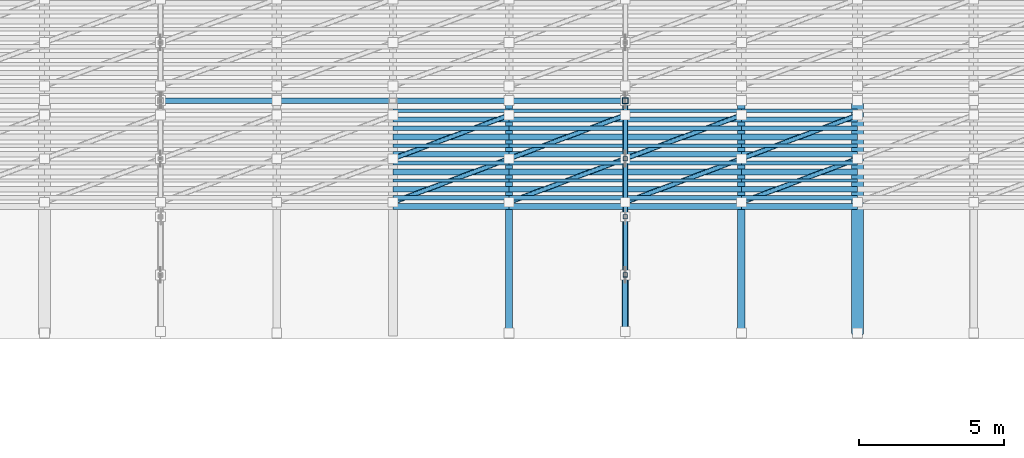
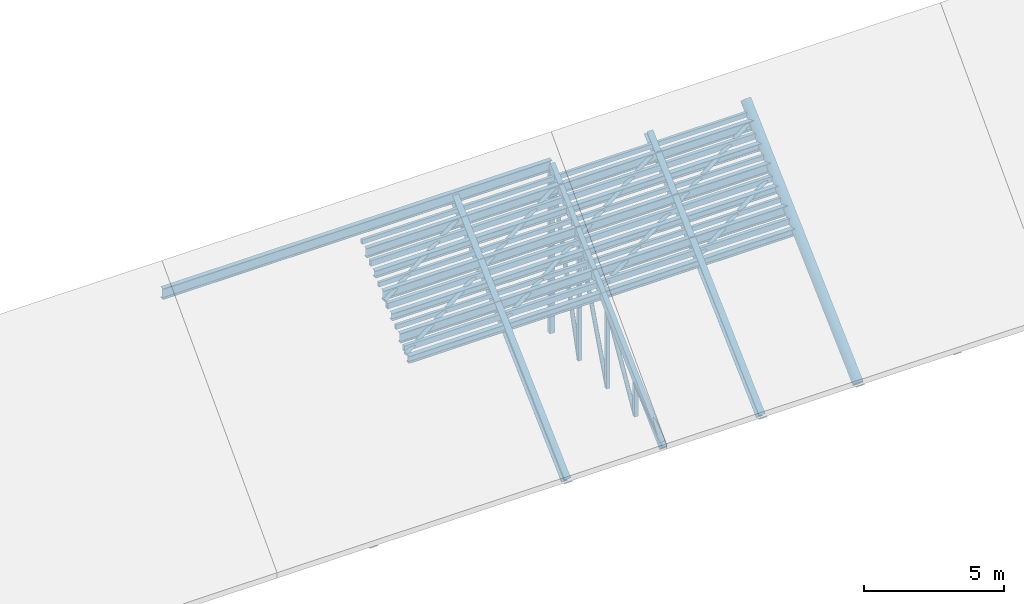
# One storey, part 6 of 18: 69 members.
"""IFC4 building model written with IfcOpenShell, lengths in metres."""

from ifc_helpers import new_model, si_unit, direction, frame, origin, origin_2d, place, context, subcontext, project, spatial, hollow_rectangle, hollow_circle, i_section, extrude, material, material_profile, profile_set, type_object, element, save


model = new_model("IFC4")

# Units and contexts
model_context = context("Model", 3, precision=1e-05, world=origin(), true_north=direction((0.0, 1.0)))
body_context = subcontext(model_context, "Body", "Model", "MODEL_VIEW")
ifc_project = project(units=[si_unit("LENGTHUNIT", "METRE"), si_unit("AREAUNIT", "SQUARE_METRE"), si_unit("VOLUMEUNIT", "CUBIC_METRE"), si_unit("PLANEANGLEUNIT", "RADIAN"), si_unit("MASSUNIT", "GRAM", prefix="KILO")], contexts=[model_context])

# Site, building, storey
site_placement = place(None, origin())
site = spatial("IfcSite", under=ifc_project, at=site_placement, CompositionType="ELEMENT")
building_placement = place(site_placement, origin())
building = spatial("IfcBuilding", under=site, at=building_placement, Name="Serraluz Foothill Cableway Terminal", CompositionType="ELEMENT")
storey_placement = place(building_placement, frame((0.0, 0.0, 24.300048828125)))
storey = spatial("IfcBuildingStorey", under=building, at=storey_placement, Name="RF", CompositionType="ELEMENT", Elevation=24.300048828125)

# Members
ifc_material_1 = material(Name="Steel ASTM A572 Grade 50", Category="steel")
ifc_material_profile_1 = material_profile(ifc_material_1, hollow_circle(Radius=0.084228515625, WallThickness=0.010009765625, at=origin_2d()), Name="CHS168X10")
ifc_profile_set_1 = profile_set([ifc_material_profile_1], Name="Steel ASTM A572 Grade 50")
member_type_1 = type_object("IfcMemberType", Name="TYP-BR-CHS168", PredefinedType="BRACE", material=ifc_profile_set_1)
member_1_placement = place(storey_placement, frame((104.0, 58.0302734375, -4.568115234375), z_axis=(0.0, 0.502584169831, 0.864528283074), x_axis=(-1.0, 0.0, 0.0)))
element("IfcMember", 1, at=member_1_placement, inside=storey, type_object=member_type_1, Name="ROOF TRUSS TR-05 Diagonal 2", PredefinedType="BRACE", context=body_context, shape_type="SweptSolid", body=[
    extrude(hollow_circle(Radius=0.084228515625, WallThickness=0.010009765625, at=origin_2d()), origin(), (0.0, 0.0, 1.0), 3.85888671875),
])
member_2_placement = place(storey_placement, frame((104.0, 60.02099609375, -4.56396484375), z_axis=(0.0, 0.352230195063, 0.935913398604), x_axis=(-1.0, 0.0, 0.0)))
element("IfcMember", 2, at=member_2_placement, inside=storey, type_object=member_type_1, Name="ROOF TRUSS TR-05 Diagonal 3", PredefinedType="BRACE", context=body_context, shape_type="SweptSolid", body=[
    extrude(hollow_circle(Radius=0.084228515625, WallThickness=0.010009765625, at=origin_2d()), origin(), (0.0, 0.0, 1.0), 5.558837890625),
])
member_3_placement = place(storey_placement, frame((104.0, 62.01611328125, -4.562255859375), z_axis=(0.0, 0.26797823219, 0.963424967017), x_axis=(-1.0, 0.0, 0.0)))
element("IfcMember", 3, at=member_3_placement, inside=storey, type_object=member_type_1, Name="ROOF TRUSS TR-05 Diagonal 4", PredefinedType="BRACE", context=body_context, shape_type="SweptSolid", body=[
    extrude(hollow_circle(Radius=0.084228515625, WallThickness=0.010009765625, at=origin_2d()), origin(), (0.0, 0.0, 1.0), 7.343017578125),
])
for number, where, z_axis, x_axis, name in (
    (4, (96.0, 60.5, -0.641357421875), (0.889382269185, 0.333518350944, 0.31267345401), (-0.351123441588, 0.936329177569, 0.0), "Roof Lateral Wind Brace 0417"),
    (5, (96.0, 62.0, 0.764892578125), (0.889382269185, 0.333518350944, 0.31267345401), (-0.351123441588, 0.936329177569, 0.0), "Roof Lateral Wind Brace 0418"),
    (6, (100.0, 60.5, -0.641357421875), (0.889382269185, 0.333518350944, 0.31267345401), (-0.351123441588, 0.936329177569, 0.0), "Roof Lateral Wind Brace 0445"),
    (7, (100.0, 62.0, 0.764892578125), (0.889382269185, 0.333518350944, 0.31267345401), (-0.351123441588, 0.936329177569, 0.0), "Roof Lateral Wind Brace 0446"),
    (8, (104.0, 60.5, -0.641357421875), (0.889382269185, 0.333518350944, 0.31267345401), (-0.351123441588, 0.936329177569, 0.0), "Roof Lateral Wind Brace 0473"),
    (9, (104.0, 62.0, 0.764892578125), (0.889382269185, 0.333518350944, 0.31267345401), (-0.351123441588, 0.936329177569, 0.0), "Roof Lateral Wind Brace 0474"),
    (10, (108.0, 60.5, -0.641357421875), (0.889382269185, 0.333518350944, 0.31267345401), (-0.351123441588, 0.936329177569, 0.0), "Roof Lateral Wind Brace 0501"),
    (11, (108.0, 62.0, 0.764892578125), (0.889382269185, 0.333518350944, 0.31267345401), (-0.351123441588, 0.936329177569, 0.0), "Roof Lateral Wind Brace 0502"),
):
    element("IfcMember", number, at=place(storey_placement, frame(where, z_axis=z_axis, x_axis=x_axis)), inside=storey, type_object=member_type_1, Name=name, PredefinedType="BRACE", context=body_context, shape_type="SweptSolid", body=[
        extrude(hollow_circle(Radius=0.084228515625, WallThickness=0.010009765625, at=origin_2d()), origin(), (0.0, 0.0, 1.0), 4.49755859375),
    ])
ifc_material_profile_2 = material_profile(ifc_material_1, hollow_circle(Radius=0.109619140625, WallThickness=0.011962890625, at=origin_2d()), Name="CHS219X12")
ifc_profile_set_2 = profile_set([ifc_material_profile_2], Name="Steel ASTM A572 Grade 50")
member_type_2 = type_object("IfcMemberType", Name="TYP-BR-CHS219", PredefinedType="BRACE", material=ifc_profile_set_2)
member_4_placement = place(storey_placement, frame((104.0, 56.04736328125, -4.5830078125), z_axis=(0.0, 0.787528424659, 0.616278330265), x_axis=(-1.0, 0.0, 0.0)))
element("IfcMember", 12, at=member_4_placement, inside=storey, type_object=member_type_2, Name="ROOF TRUSS TR-05 Diagonal 1", PredefinedType="BRACE", context=body_context, shape_type="SweptSolid", body=[
    extrude(hollow_circle(Radius=0.109619140625, WallThickness=0.011962890625, at=origin_2d()), origin(), (0.0, 0.0, 1.0), 2.419189453125),
])
ifc_material_profile_3 = material_profile(ifc_material_1, hollow_rectangle(XDim=0.14990234375, YDim=0.14990234375, WallThickness=0.010009765625, at=origin_2d()), Name="HSS150X150X10")
ifc_profile_set_3 = profile_set([ifc_material_profile_3], Name="Steel ASTM A572 Grade 50")
member_type_3 = type_object("IfcMemberType", Name="TYP-BR-HSS150", PredefinedType="BRACE", material=ifc_profile_set_3)
member_5_placement = place(storey_placement, frame((104.0, 58.0, -4.610107421875), z_axis=(0.0, 0.0, 1.0), x_axis=(1.0, 0.0, 0.0)))
element("IfcMember", 13, at=member_5_placement, inside=storey, type_object=member_type_3, Name="ROOF TRUSS TR-05 Web Post 1", PredefinedType="BRACE", context=body_context, shape_type="SweptSolid", body=[
    extrude(hollow_rectangle(XDim=0.14990234375, YDim=0.14990234375, WallThickness=0.010009765625, at=origin_2d()), origin(), (0.0, 0.0, 1.0), 1.545166015625),
])
member_6_placement = place(storey_placement, frame((104.0, 60.0, -4.610107421875), z_axis=(0.0, 0.0, 1.0), x_axis=(1.0, 0.0, 0.0)))
element("IfcMember", 14, at=member_6_placement, inside=storey, type_object=member_type_3, Name="ROOF TRUSS TR-05 Web Post 2", PredefinedType="BRACE", context=body_context, shape_type="SweptSolid", body=[
    extrude(hollow_rectangle(XDim=0.14990234375, YDim=0.14990234375, WallThickness=0.010009765625, at=origin_2d()), origin(), (0.0, 0.0, 1.0), 3.420166015625),
])
member_7_placement = place(storey_placement, frame((104.0, 62.0, -4.610107421875), z_axis=(0.0, 0.0, 1.0), x_axis=(1.0, 0.0, 0.0)))
element("IfcMember", 15, at=member_7_placement, inside=storey, type_object=member_type_3, Name="ROOF TRUSS TR-05 Web Post 3", PredefinedType="BRACE", context=body_context, shape_type="SweptSolid", body=[
    extrude(hollow_rectangle(XDim=0.14990234375, YDim=0.14990234375, WallThickness=0.010009765625, at=origin_2d()), origin(), (0.0, 0.0, 1.0), 5.295166015625),
])
ifc_material_profile_4 = material_profile(ifc_material_1, hollow_rectangle(XDim=0.199951171875, YDim=0.199951171875, WallThickness=0.011962890625, at=origin_2d()), Name="HSS200X200X12")
ifc_profile_set_4 = profile_set([ifc_material_profile_4], Name="Steel ASTM A572 Grade 50")
member_type_4 = type_object("IfcMemberType", Name="TYP-BR-HSS200", PredefinedType="BRACE", material=ifc_profile_set_4)
member_8_placement = place(storey_placement, frame((104.0, 64.0, -4.610107421875), z_axis=(0.0, 0.0, 1.0), x_axis=(1.0, 0.0, 0.0)))
element("IfcMember", 16, at=member_8_placement, inside=storey, type_object=member_type_4, Name="ROOF TRUSS TR-05 Web Post 4", PredefinedType="BRACE", context=body_context, shape_type="SweptSolid", body=[
    extrude(hollow_rectangle(XDim=0.199951171875, YDim=0.199951171875, WallThickness=0.011962890625, at=origin_2d()), origin(), (0.0, 0.0, 1.0), 7.170166015625),
])
ifc_material_2 = material(Name="Steel ASTM A992 Grade 50", Category="steel")
ifc_material_profile_5 = material_profile(ifc_material_2, i_section(OverallWidth=0.25390625, OverallDepth=0.35595703125, WebThickness=0.010498046875, FlangeThickness=0.018310546875, FilletRadius=0.014892578125, at=origin_2d()), Name="W14X68")
ifc_profile_set_5 = profile_set([ifc_material_profile_5], Name="Steel ASTM A992 Grade 50")
member_type_5 = type_object("IfcMemberType", Name="TYP-BR-W14X68", PredefinedType="BRACE", material=ifc_profile_set_5)
member_9_placement = place(storey_placement, frame((100.0, 56.0, -4.800048828125), z_axis=(0.0, 0.72953720414, 0.683941128881), x_axis=(-1.0, 0.0, 0.0)))
element("IfcMember", 17, at=member_9_placement, inside=storey, type_object=member_type_5, Name="Secondary Roof Rafter 0023", PredefinedType="BRACE", context=body_context, shape_type="SweptSolid", body=[
    extrude(i_section(OverallWidth=0.25390625, OverallDepth=0.35595703125, WebThickness=0.010498046875, FlangeThickness=0.018310546875, FilletRadius=0.014892578125, at=origin_2d()), origin(), (0.0, 0.0, 1.0), 10.9658203125),
])
ifc_material_profile_6 = material_profile(ifc_material_1, hollow_rectangle(XDim=0.199951171875, YDim=0.300048828125, WallThickness=0.011962890625, at=origin_2d()), Name="HSS300X200X12")
ifc_profile_set_6 = profile_set([ifc_material_profile_6], Name="Steel ASTM A572 Grade 50")
member_type_6 = type_object("IfcMemberType", Name="TYP-CH-HSS300X200", PredefinedType="CHORD", material=ifc_profile_set_6)
member_10_placement = place(storey_placement, frame((104.0, 56.0, -4.800048828125), z_axis=(0.0, 0.72953720414, 0.683941128881), x_axis=(-1.0, 0.0, 0.0)))
element("IfcMember", 18, at=member_10_placement, inside=storey, type_object=member_type_6, Name="ROOF TRUSS TR-05 Top Chord 1", PredefinedType="CHORD", context=body_context, shape_type="SweptSolid", body=[
    extrude(hollow_rectangle(XDim=0.199951171875, YDim=0.300048828125, WallThickness=0.011962890625, at=origin_2d()), origin(), (0.0, 0.0, 1.0), 10.9658203125),
])
ifc_material_profile_7 = material_profile(ifc_material_1, hollow_rectangle(XDim=0.1201171875, YDim=0.199951171875, WallThickness=0.008056640625, at=origin_2d()), Name="HSS200X120X8")
ifc_profile_set_7 = profile_set([ifc_material_profile_7], Name="Steel ASTM A572 Grade 50")
member_type_7 = type_object("IfcMemberType", Name="TYP-PR-HSS200X120", PredefinedType="PURLIN", material=ifc_profile_set_7)
for number, where, z_axis, x_axis, name in (
    (19, (96.0, 61.25, 0.081787109375), (1.0, 0.0, 0.0), (0.0, 1.0, 0.0), "Secondary Roof Purlin 0396"),
    (20, (96.0, 62.449951171875, 1.206787109375), (1.0, 0.0, 0.0), (0.0, 1.0, 0.0), "Secondary Roof Purlin 0400"),
    (21, (96.0, 63.64990234375, 2.331787109375), (1.0, 0.0, 0.0), (0.0, 1.0, 0.0), "Secondary Roof Purlin 0404"),
    (22, (100.0, 61.25, 0.081787109375), (1.0, 0.0, 0.0), (0.0, 1.0, 0.0), "Secondary Roof Purlin 0424"),
    (23, (100.0, 62.449951171875, 1.206787109375), (1.0, 0.0, 0.0), (0.0, 1.0, 0.0), "Secondary Roof Purlin 0428"),
    (24, (100.0, 63.64990234375, 2.331787109375), (1.0, 0.0, 0.0), (0.0, 1.0, 0.0), "Secondary Roof Purlin 0432"),
    (25, (104.0, 61.25, 0.081787109375), (1.0, 0.0, 0.0), (0.0, 1.0, 0.0), "Secondary Roof Purlin 0452"),
    (26, (104.0, 62.449951171875, 1.206787109375), (1.0, 0.0, 0.0), (0.0, 1.0, 0.0), "Secondary Roof Purlin 0456"),
    (27, (104.0, 63.64990234375, 2.331787109375), (1.0, 0.0, 0.0), (0.0, 1.0, 0.0), "Secondary Roof Purlin 0460"),
    (28, (108.0, 61.25, 0.081787109375), (1.0, 0.0, 0.0), (0.0, 1.0, 0.0), "Secondary Roof Purlin 0480"),
    (29, (108.0, 62.449951171875, 1.206787109375), (1.0, 0.0, 0.0), (0.0, 1.0, 0.0), "Secondary Roof Purlin 0484"),
    (30, (108.0, 63.64990234375, 2.331787109375), (1.0, 0.0, 0.0), (0.0, 1.0, 0.0), "Secondary Roof Purlin 0488"),
):
    element("IfcMember", number, at=place(storey_placement, frame(where, z_axis=z_axis, x_axis=x_axis)), inside=storey, type_object=member_type_7, Name=name, PredefinedType="PURLIN", context=body_context, shape_type="SweptSolid", body=[
        extrude(hollow_rectangle(XDim=0.1201171875, YDim=0.199951171875, WallThickness=0.008056640625, at=origin_2d()), origin(), (0.0, 0.0, 1.0), 4.0),
    ])
ifc_material_profile_8 = material_profile(ifc_material_1, hollow_rectangle(XDim=0.14990234375, YDim=0.25, WallThickness=0.010009765625, at=origin_2d()), Name="HSS250X150X10")
ifc_profile_set_8 = profile_set([ifc_material_profile_8], Name="Steel ASTM A572 Grade 50")
member_type_8 = type_object("IfcMemberType", Name="TYP-PR-HSS250X150", PredefinedType="PURLIN", material=ifc_profile_set_8)
for number, where, z_axis, x_axis, name in (
    (31, (96.0, 60.64990234375, -0.480712890625), (1.0, 0.0, 0.0), (0.0, 1.0, 0.0), "Secondary Roof Purlin 0394"),
    (32, (96.0, 61.85009765625, 0.644287109375), (1.0, 0.0, 0.0), (0.0, 1.0, 0.0), "Secondary Roof Purlin 0398"),
    (33, (96.0, 63.050048828125, 1.769287109375), (1.0, 0.0, 0.0), (0.0, 1.0, 0.0), "Secondary Roof Purlin 0402"),
    (34, (100.0, 60.64990234375, -0.480712890625), (1.0, 0.0, 0.0), (0.0, 1.0, 0.0), "Secondary Roof Purlin 0422"),
    (35, (100.0, 61.85009765625, 0.644287109375), (1.0, 0.0, 0.0), (0.0, 1.0, 0.0), "Secondary Roof Purlin 0426"),
    (36, (100.0, 63.050048828125, 1.769287109375), (1.0, 0.0, 0.0), (0.0, 1.0, 0.0), "Secondary Roof Purlin 0430"),
    (37, (104.0, 60.64990234375, -0.480712890625), (1.0, 0.0, 0.0), (0.0, 1.0, 0.0), "Secondary Roof Purlin 0450"),
    (38, (104.0, 61.85009765625, 0.644287109375), (1.0, 0.0, 0.0), (0.0, 1.0, 0.0), "Secondary Roof Purlin 0454"),
    (39, (104.0, 63.050048828125, 1.769287109375), (1.0, 0.0, 0.0), (0.0, 1.0, 0.0), "Secondary Roof Purlin 0458"),
    (40, (108.0, 60.64990234375, -0.480712890625), (1.0, 0.0, 0.0), (0.0, 1.0, 0.0), "Secondary Roof Purlin 0478"),
    (41, (108.0, 61.85009765625, 0.644287109375), (1.0, 0.0, 0.0), (0.0, 1.0, 0.0), "Secondary Roof Purlin 0482"),
    (42, (108.0, 63.050048828125, 1.769287109375), (1.0, 0.0, 0.0), (0.0, 1.0, 0.0), "Secondary Roof Purlin 0486"),
):
    element("IfcMember", number, at=place(storey_placement, frame(where, z_axis=z_axis, x_axis=x_axis)), inside=storey, type_object=member_type_8, Name=name, PredefinedType="PURLIN", context=body_context, shape_type="SweptSolid", body=[
        extrude(hollow_rectangle(XDim=0.14990234375, YDim=0.25, WallThickness=0.010009765625, at=origin_2d()), origin(), (0.0, 0.0, 1.0), 4.0),
    ])
ifc_material_profile_9 = material_profile(ifc_material_2, i_section(OverallWidth=0.205078125, OverallDepth=0.31005859375, WebThickness=0.009521484375, FlangeThickness=0.016357421875, FilletRadius=0.012939453125, at=origin_2d()), Name="W12X50")
ifc_profile_set_9 = profile_set([ifc_material_profile_9], Name="Steel ASTM A992 Grade 50")
member_type_9 = type_object("IfcMemberType", Name="TYP-PR-W12X50", PredefinedType="PURLIN", material=ifc_profile_set_9)
for number, where, z_axis, x_axis, name in (
    (43, (96.0, 60.35009765625, -0.761962890625), (1.0, 0.0, 0.0), (0.0, 1.0, 0.0), "Secondary Roof Purlin 0393"),
    (44, (96.0, 61.550048828125, 0.363037109375), (1.0, 0.0, 0.0), (0.0, 1.0, 0.0), "Secondary Roof Purlin 0397"),
    (45, (96.0, 62.75, 1.488037109375), (1.0, 0.0, 0.0), (0.0, 1.0, 0.0), "Secondary Roof Purlin 0401"),
    (46, (100.0, 60.35009765625, -0.761962890625), (1.0, 0.0, 0.0), (0.0, 1.0, 0.0), "Secondary Roof Purlin 0421"),
    (47, (100.0, 61.550048828125, 0.363037109375), (1.0, 0.0, 0.0), (0.0, 1.0, 0.0), "Secondary Roof Purlin 0425"),
    (48, (100.0, 62.75, 1.488037109375), (1.0, 0.0, 0.0), (0.0, 1.0, 0.0), "Secondary Roof Purlin 0429"),
    (49, (104.0, 60.35009765625, -0.761962890625), (1.0, 0.0, 0.0), (0.0, 1.0, 0.0), "Secondary Roof Purlin 0449"),
    (50, (104.0, 61.550048828125, 0.363037109375), (1.0, 0.0, 0.0), (0.0, 1.0, 0.0), "Secondary Roof Purlin 0453"),
    (51, (104.0, 62.75, 1.488037109375), (1.0, 0.0, 0.0), (0.0, 1.0, 0.0), "Secondary Roof Purlin 0457"),
    (52, (108.0, 60.35009765625, -0.761962890625), (1.0, 0.0, 0.0), (0.0, 1.0, 0.0), "Secondary Roof Purlin 0477"),
    (53, (108.0, 61.550048828125, 0.363037109375), (1.0, 0.0, 0.0), (0.0, 1.0, 0.0), "Secondary Roof Purlin 0481"),
    (54, (108.0, 62.75, 1.488037109375), (1.0, 0.0, 0.0), (0.0, 1.0, 0.0), "Secondary Roof Purlin 0485"),
):
    element("IfcMember", number, at=place(storey_placement, frame(where, z_axis=z_axis, x_axis=x_axis)), inside=storey, type_object=member_type_9, Name=name, PredefinedType="PURLIN", context=body_context, shape_type="SweptSolid", body=[
        extrude(i_section(OverallWidth=0.205078125, OverallDepth=0.31005859375, WebThickness=0.009521484375, FlangeThickness=0.016357421875, FilletRadius=0.012939453125, at=origin_2d()), origin(), (0.0, 0.0, 1.0), 4.0),
    ])
ifc_material_profile_10 = material_profile(ifc_material_2, i_section(OverallWidth=0.180908203125, OverallDepth=0.4169921875, WebThickness=0.010986328125, FlangeThickness=0.018310546875, FilletRadius=0.013916015625, at=origin_2d()), Name="W16X57")
ifc_profile_set_10 = profile_set([ifc_material_profile_10], Name="Steel ASTM A992 Grade 50")
member_type_10 = type_object("IfcMemberType", Name="TYP-PR-W16X57", PredefinedType="PURLIN", material=ifc_profile_set_10)
for number, where, z_axis, x_axis, name in (
    (55, (96.0, 60.949951171875, -0.199462890625), (1.0, 0.0, 0.0), (0.0, 1.0, 0.0), "Secondary Roof Purlin 0395"),
    (56, (96.0, 62.14990234375, 0.925537109375), (1.0, 0.0, 0.0), (0.0, 1.0, 0.0), "Secondary Roof Purlin 0399"),
    (57, (96.0, 63.35009765625, 2.050537109375), (1.0, 0.0, 0.0), (0.0, 1.0, 0.0), "Secondary Roof Purlin 0403"),
    (58, (100.0, 60.949951171875, -0.199462890625), (1.0, 0.0, 0.0), (0.0, 1.0, 0.0), "Secondary Roof Purlin 0423"),
    (59, (100.0, 62.14990234375, 0.925537109375), (1.0, 0.0, 0.0), (0.0, 1.0, 0.0), "Secondary Roof Purlin 0427"),
    (60, (100.0, 63.35009765625, 2.050537109375), (1.0, 0.0, 0.0), (0.0, 1.0, 0.0), "Secondary Roof Purlin 0431"),
    (61, (104.0, 60.949951171875, -0.199462890625), (1.0, 0.0, 0.0), (0.0, 1.0, 0.0), "Secondary Roof Purlin 0451"),
    (62, (104.0, 62.14990234375, 0.925537109375), (1.0, 0.0, 0.0), (0.0, 1.0, 0.0), "Secondary Roof Purlin 0455"),
    (63, (104.0, 63.35009765625, 2.050537109375), (1.0, 0.0, 0.0), (0.0, 1.0, 0.0), "Secondary Roof Purlin 0459"),
    (64, (108.0, 60.949951171875, -0.199462890625), (1.0, 0.0, 0.0), (0.0, 1.0, 0.0), "Secondary Roof Purlin 0479"),
    (65, (108.0, 62.14990234375, 0.925537109375), (1.0, 0.0, 0.0), (0.0, 1.0, 0.0), "Secondary Roof Purlin 0483"),
    (66, (108.0, 63.35009765625, 2.050537109375), (1.0, 0.0, 0.0), (0.0, 1.0, 0.0), "Secondary Roof Purlin 0487"),
):
    element("IfcMember", number, at=place(storey_placement, frame(where, z_axis=z_axis, x_axis=x_axis)), inside=storey, type_object=member_type_10, Name=name, PredefinedType="PURLIN", context=body_context, shape_type="SweptSolid", body=[
        extrude(i_section(OverallWidth=0.180908203125, OverallDepth=0.4169921875, WebThickness=0.010986328125, FlangeThickness=0.018310546875, FilletRadius=0.013916015625, at=origin_2d()), origin(), (0.0, 0.0, 1.0), 4.0),
    ])
ifc_material_profile_11 = material_profile(ifc_material_2, i_section(OverallWidth=0.193115234375, OverallDepth=0.467041015625, WebThickness=0.011474609375, FlangeThickness=0.01904296875, FilletRadius=0.014892578125, at=origin_2d()), Name="W18X65")
ifc_profile_set_11 = profile_set([ifc_material_profile_11], Name="Steel ASTM A992 Grade 50")
member_type_11 = type_object("IfcMemberType", Name="TYP-PR-W18X65", PredefinedType="PURLIN", material=ifc_profile_set_11)
member_11_placement = place(storey_placement, frame((88.0, 64.0, 2.679931640625), z_axis=(1.0, 0.0, 0.0), x_axis=(0.0, 1.0, 0.0)))
element("IfcMember", 67, at=member_11_placement, inside=storey, type_object=member_type_11, Name="Primary Roof Ridge/Eave Purlin 4-64", PredefinedType="PURLIN", context=body_context, shape_type="SweptSolid", body=[
    extrude(i_section(OverallWidth=0.193115234375, OverallDepth=0.467041015625, WebThickness=0.011474609375, FlangeThickness=0.01904296875, FilletRadius=0.014892578125, at=origin_2d()), origin(), (0.0, 0.0, 1.0), 16.0),
])
ifc_material_profile_12 = material_profile(ifc_material_1, hollow_circle(Radius=0.203125, WallThickness=0.01611328125, at=origin_2d()), Name="CHS406X16")
ifc_profile_set_12 = profile_set([ifc_material_profile_12], Name="Steel ASTM A572 Grade 50")
member_type_12 = type_object("IfcMemberType", Name="TYP-ST-CHS406", PredefinedType="STRUT", material=ifc_profile_set_12)
member_12_placement = place(storey_placement, frame((112.0, 56.0, -4.800048828125), z_axis=(0.0, 0.72953720414, 0.683941128881), x_axis=(-1.0, 0.0, 0.0)))
element("IfcMember", 68, at=member_12_placement, inside=storey, type_object=member_type_12, Name="Secondary Roof Rafter 0027", PredefinedType="STRUT", context=body_context, shape_type="SweptSolid", body=[
    extrude(hollow_circle(Radius=0.203125, WallThickness=0.01611328125, at=origin_2d()), origin(), (0.0, 0.0, 1.0), 10.9658203125),
])
ifc_material_profile_13 = material_profile(ifc_material_2, i_section(OverallWidth=0.25390625, OverallDepth=0.31103515625, WebThickness=0.010986328125, FlangeThickness=0.01708984375, FilletRadius=0.012939453125, at=origin_2d()), Name="W12X72")
ifc_profile_set_13 = profile_set([ifc_material_profile_13], Name="Steel ASTM A992 Grade 50")
member_type_13 = type_object("IfcMemberType", Name="TYP-ST-W12X72", PredefinedType="STRUT", material=ifc_profile_set_13)
member_13_placement = place(storey_placement, frame((108.0, 56.0, -4.800048828125), z_axis=(0.0, 0.72953720414, 0.683941128881), x_axis=(-1.0, 0.0, 0.0)))
element("IfcMember", 69, at=member_13_placement, inside=storey, type_object=member_type_13, Name="Secondary Roof Rafter 0025", PredefinedType="STRUT", context=body_context, shape_type="SweptSolid", body=[
    extrude(i_section(OverallWidth=0.25390625, OverallDepth=0.31103515625, WebThickness=0.010986328125, FlangeThickness=0.01708984375, FilletRadius=0.012939453125, at=origin_2d()), origin(), (0.0, 0.0, 1.0), 10.9658203125),
])

save(model, "model.ifc")
